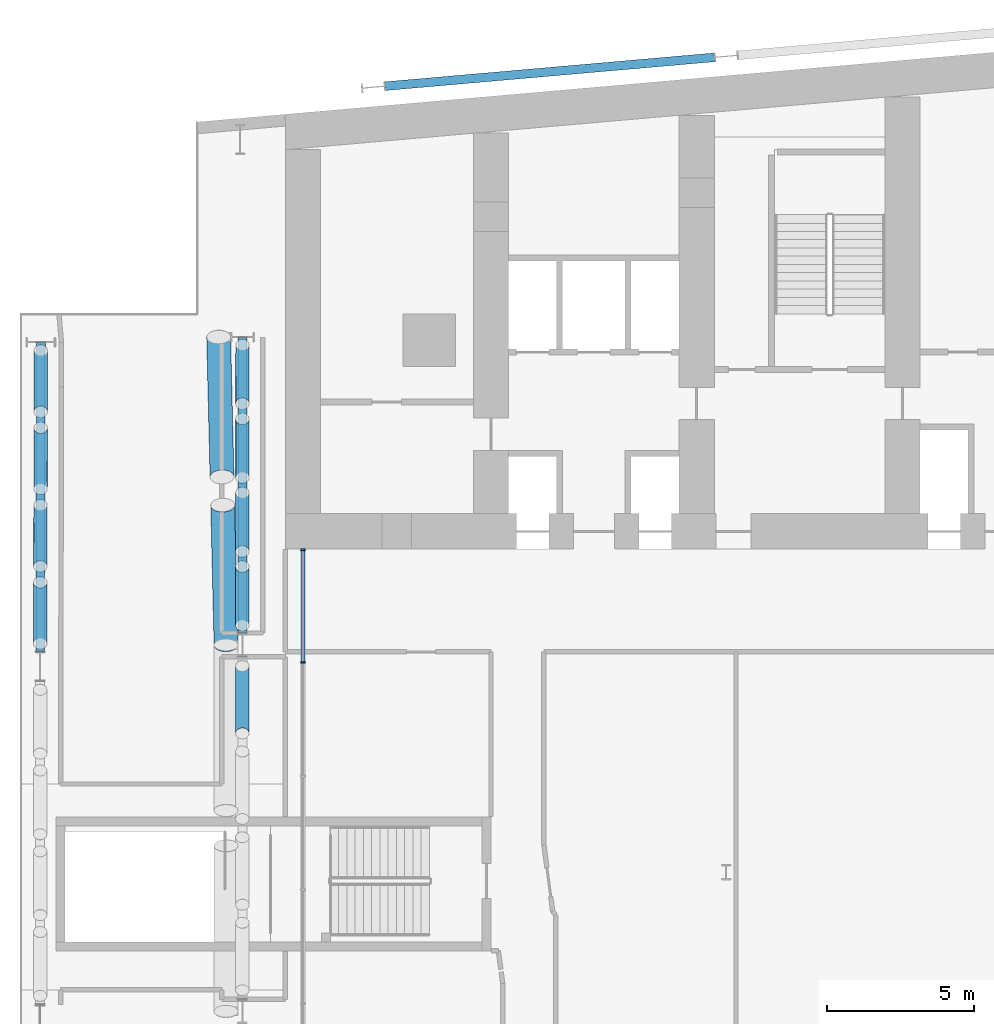
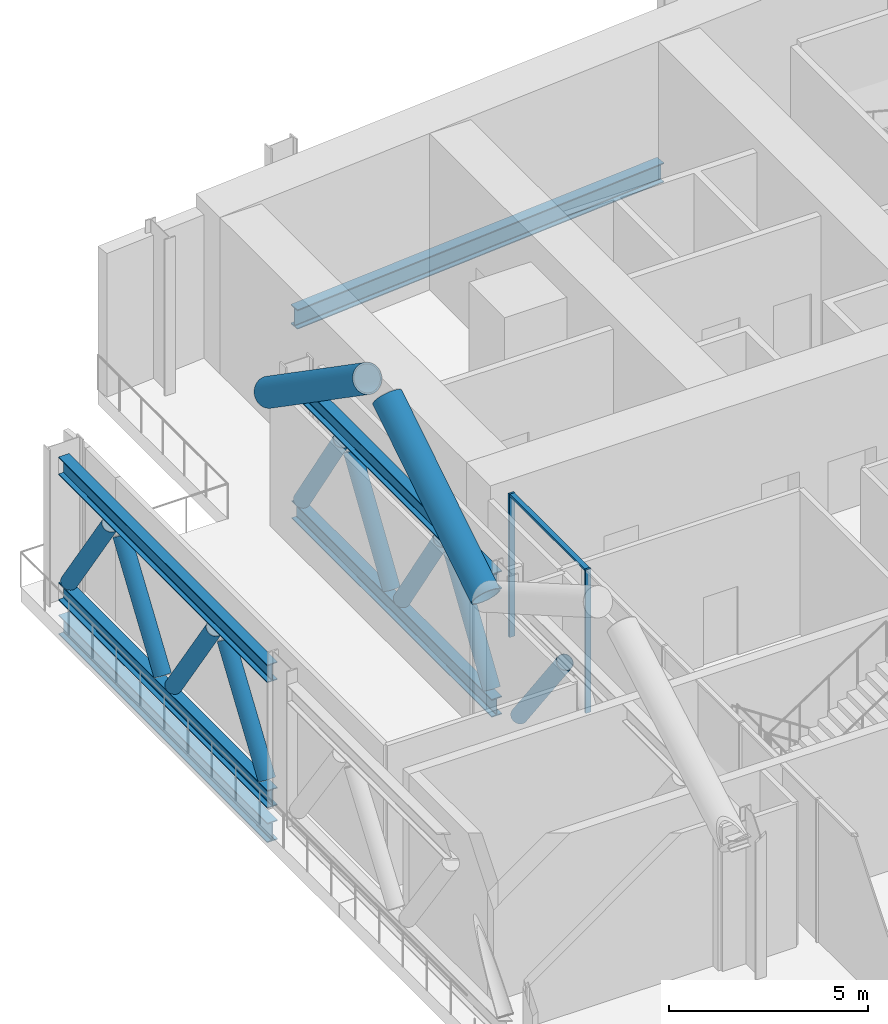
# One storey, part 9 of 39: 18 members, 2 beams, 1 element without a shape of its own.
"""IFC4 building model written with IfcOpenShell, lengths in metres."""

import ifcopenshell
import ifcopenshell.guid

model = None  # the IFC model being written
_history = None  # IfcOwnerHistory: only IFC2X3 demands one
_inside = {}  # id of a spatial element -> (the spatial element, [elements in it])
_under = {}  # id of a project, library or spatial element -> (it, [spatial elements below it])
_declared = {}  # id of a project -> (the project, [libraries it declares])
_typed = {}  # id of a type object -> (the type object, [elements of that type])
_made_of = {}  # id of a material, layer set ... -> (it, [elements and type objects made of it])


def new_model(schema):
    """Start an empty IFC model of exactly this schema.

    Asked for "IFC4X3", IfcOpenShell would pick the latest addendum, in which some entities
    have other attributes; the version numbers below select the first issue.
    IFC2X3 requires an IfcOwnerHistory on every rooted entity: one is made here for all.
    """
    global model, _history
    if schema == "IFC4X3":
        model = ifcopenshell.file(schema_version=(4, 3, 0, 0))
    else:
        model = ifcopenshell.file(schema=schema)
    _inside.clear()
    _under.clear()
    _declared.clear()
    _typed.clear()
    _made_of.clear()
    _history = None
    if model.schema == "IFC2X3":
        org = make("IfcOrganization", Name="unknown")
        user = make(
            "IfcPersonAndOrganization",
            ThePerson=make("IfcPerson", FamilyName="unknown"),
            TheOrganization=org,
        )
        app = make(
            "IfcApplication",
            ApplicationDeveloper=org,
            Version="unknown",
            ApplicationFullName="unknown",
            ApplicationIdentifier="unknown",
        )
        _history = make(
            "IfcOwnerHistory",
            OwningUser=user,
            OwningApplication=app,
            ChangeAction="ADDED",
            CreationDate=0,
        )
    return model


def make(cls, **values):
    """One entity of the class cls with the attributes given. An attribute that is None is left unset."""
    return model.create_entity(
        cls, **{name: value for name, value in values.items() if value is not None}
    )


def rooted(cls, **values):
    """An entity with a GlobalId (a new one), such as an element, a storey or a relation."""
    return make(cls, GlobalId=ifcopenshell.guid.new(), OwnerHistory=_history, **values)


def si_unit(unit_type, name, prefix=None):
    """IfcSIUnit, for example si_unit("LENGTHUNIT", "METRE", prefix="MILLI")."""
    return make("IfcSIUnit", UnitType=unit_type, Prefix=prefix, Name=name)


def assignment(units):
    """IfcUnitAssignment: the units of a project."""
    return None if units is None else make("IfcUnitAssignment", Units=units)


def point(xyz):
    """IfcCartesianPoint."""
    return None if xyz is None else make("IfcCartesianPoint", Coordinates=xyz)


def direction(xyz):
    """IfcDirection."""
    return None if xyz is None else make("IfcDirection", DirectionRatios=xyz)


def frame(location, z_axis=None, x_axis=None):
    """IfcAxis2Placement3D, a coordinate frame: its origin and axes. An axis left out is left unset."""
    return make(
        "IfcAxis2Placement3D",
        Location=point(location),
        Axis=direction(z_axis),
        RefDirection=direction(x_axis),
    )


def frame_2d(location, x_axis=None):
    """IfcAxis2Placement2D, a coordinate frame in the plane: its origin and x axis."""
    return make(
        "IfcAxis2Placement2D", Location=point(location), RefDirection=direction(x_axis)
    )


def origin():
    """The frame at (0, 0, 0) with its axes left unset."""
    return frame((0.0, 0.0, 0.0))


def origin_2d():
    """The frame at (0, 0) in the plane with its x axis left unset."""
    return frame_2d((0.0, 0.0))


def place(relative_to, where):
    """IfcLocalPlacement: puts the frame where relative to a parent placement (None: the world)."""
    return make(
        "IfcLocalPlacement", PlacementRelTo=relative_to, RelativePlacement=where
    )


def context(
    kind, dimensions, precision=None, world=None, true_north=None, identifier=None
):
    """IfcGeometricRepresentationContext, for example the 3D "Model" context."""
    return make(
        "IfcGeometricRepresentationContext",
        ContextIdentifier=identifier,
        ContextType=kind,
        CoordinateSpaceDimension=dimensions,
        Precision=precision,
        WorldCoordinateSystem=world,
        TrueNorth=true_north,
    )


def subcontext(parent, identifier, kind, view, scale=None):
    """IfcGeometricRepresentationSubContext, for example "Body" below "Model"."""
    return make(
        "IfcGeometricRepresentationSubContext",
        ContextIdentifier=identifier,
        ContextType=kind,
        ParentContext=parent,
        TargetScale=scale,
        TargetView=view,
    )


def project(units=None, contexts=None):
    """IfcProject with its units and contexts."""
    return rooted(
        "IfcProject",
        Name="project",
        RepresentationContexts=contexts,
        UnitsInContext=assignment(units),
    )


def spatial(cls, under=None, at=None, **own):
    """A site, building, storey or space (cls), placed at a placement, below another one or the project."""
    s = rooted(cls, ObjectPlacement=at, **own)
    if under is not None:
        _under.setdefault(under.id(), (under, []))[1].append(s)
    return s


def profile(cls, at=None, kind="AREA", **sizes):
    """A parametric profile (cls). Its sizes go by their IFC names, for example OverallWidth=200.0."""
    return make(cls, ProfileType=kind, Position=at, **sizes)


def rectangle(**sizes):
    """IfcRectangleProfileDef."""
    return profile("IfcRectangleProfileDef", **sizes)


def hollow_circle(**sizes):
    """IfcCircleHollowProfileDef."""
    return profile("IfcCircleHollowProfileDef", **sizes)


def i_section(**sizes):
    """IfcIShapeProfileDef."""
    return profile("IfcIShapeProfileDef", **sizes)


def extrude(swept, where, along, depth):
    """IfcExtrudedAreaSolid: the profile swept, set in the frame where, extruded along a direction by depth."""
    return make(
        "IfcExtrudedAreaSolid",
        SweptArea=swept,
        Position=where,
        ExtrudedDirection=direction(along),
        Depth=depth,
    )


def shape(context_of_items, identifier, shape_type, items):
    """IfcShapeRepresentation: the items that make up one representation, for example the "Body"."""
    return make(
        "IfcShapeRepresentation",
        ContextOfItems=context_of_items,
        RepresentationIdentifier=identifier,
        RepresentationType=shape_type,
        Items=items,
    )


def material(Name=None, Category=None):
    """IfcMaterial."""
    return make("IfcMaterial", Name=Name, Category=Category)


def material_profile(
    of_material, cross_section, Name=None, Category=None, Priority=None
):
    """IfcMaterialProfile: a cross section and its material."""
    return make(
        "IfcMaterialProfile",
        Name=Name,
        Material=of_material,
        Profile=cross_section,
        Priority=Priority,
        Category=Category,
    )


def profile_set(profiles, Name=None, composite=None):
    """IfcMaterialProfileSet."""
    return make(
        "IfcMaterialProfileSet",
        Name=Name,
        MaterialProfiles=profiles,
        CompositeProfile=composite,
    )


def made_of(thing, what):
    """Note that an element or type object is made of a material, layer set ...; save() writes the relation."""
    if what is not None:
        _made_of.setdefault(what.id(), (what, []))[1].append(thing)
    return thing


def type_object(cls, material=None, **own):
    """A type object (cls), such as IfcWallType, which elements share."""
    return made_of(rooted(cls, **own), material)


def element(
    cls,
    number,
    at=None,
    inside=None,
    cuts=None,
    type_object=None,
    material=None,
    context=None,
    identifier="Body",
    shape_type=None,
    held_by="IfcProductDefinitionShape",
    body=None,
    shapes=None,
    **own,
):
    """One element of the class cls, such as IfcWall. Its Tag is "e" and its number.

    at: its placement. inside: the storey or other place that contains it. cuts: it is an
    opening in that element (IfcRelVoidsElement). A single representation is given by context,
    identifier, shape_type and body (its items); several are given by shapes. held_by: the class
    of the entity that holds the representations. save() writes the other relations.
    """
    e = rooted(cls, Tag="e%d" % number, ObjectPlacement=at, **own)
    if body is not None:
        shapes = [shape(context, identifier, shape_type, body)]
    if shapes is not None:
        e.Representation = make(held_by, Representations=shapes)
    if inside is not None:
        _inside.setdefault(inside.id(), (inside, []))[1].append(e)
    if cuts is not None:
        rooted(
            "IfcRelVoidsElement", RelatingBuildingElement=cuts, RelatedOpeningElement=e
        )
    if type_object is not None:
        _typed.setdefault(type_object.id(), (type_object, []))[1].append(e)
    return made_of(e, material)


def aggregate(whole, parts):
    """IfcRelAggregates: a whole, such as a stair, and the parts it consists of."""
    return rooted("IfcRelAggregates", RelatingObject=whole, RelatedObjects=parts)


def save(model, path):
    """Write the relations noted so far, then the file.

    IfcRelAggregates (storeys below a building ...), IfcRelContainedInSpatialStructure (elements
    in a storey), IfcRelDefinesByType, IfcRelAssociatesMaterial and IfcRelDeclares: one each for
    every whole, place, type object, material and project.
    """
    for whole, parts in _under.values():
        aggregate(whole, parts)
    for where, things in _inside.values():
        rooted(
            "IfcRelContainedInSpatialStructure",
            RelatedElements=things,
            RelatingStructure=where,
        )
    for kind, things in _typed.values():
        rooted("IfcRelDefinesByType", RelatedObjects=things, RelatingType=kind)
    for what, things in _made_of.values():
        rooted("IfcRelAssociatesMaterial", RelatedObjects=things, RelatingMaterial=what)
    for by, libraries in _declared.values():
        rooted("IfcRelDeclares", RelatingContext=by, RelatedDefinitions=libraries)
    model.write(path)


model = new_model("IFC4")

# Units and contexts
model_context = context("Model", 3, precision=1e-05, world=origin(), true_north=direction((0.0, 1.0)))
body_context = subcontext(model_context, "Body", "Model", "MODEL_VIEW")
ifc_project = project(units=[si_unit("LENGTHUNIT", "METRE"), si_unit("AREAUNIT", "SQUARE_METRE"), si_unit("VOLUMEUNIT", "CUBIC_METRE"), si_unit("PLANEANGLEUNIT", "RADIAN"), si_unit("MASSUNIT", "GRAM", prefix="KILO")], contexts=[model_context])

# Site, building, storey
site_placement = place(None, origin())
site = spatial("IfcSite", under=ifc_project, at=site_placement, CompositionType="ELEMENT")
building_placement = place(site_placement, origin())
building = spatial("IfcBuilding", under=site, at=building_placement, Name="Wharfspan Tower", CompositionType="ELEMENT")
storey_placement = place(building_placement, frame((0.0, 0.0, 91.899902)))
storey = spatial("IfcBuildingStorey", under=building, at=storey_placement, Name="L20", CompositionType="ELEMENT", Elevation=91.899902)

# Beams
ifc_material_1 = material(Name="Steel S355J2", Category="steel")
ifc_material_profile_1 = material_profile(ifc_material_1, i_section(OverallWidth=0.300049, OverallDepth=0.600098, WebThickness=0.015381, FlangeThickness=0.030029, FilletRadius=0.0271, at=origin_2d()))
ifc_profile_set_1 = profile_set([ifc_material_profile_1], Name="Steel S355J2")
beam_type = type_object("IfcBeamType", Name="Edge beam HEB 600", PredefinedType="SPANDREL", material=ifc_profile_set_1)
beam_1_placement = place(storey_placement, frame((23.598633, 50.724609, -0.75), z_axis=(-0.996194, -0.087165, 0.0), x_axis=(0.087165, -0.996194, 0.0)))
element("IfcBeam", 1, at=beam_1_placement, inside=storey, type_object=beam_type, Name="Edge beam N1 L20 R.2 to R.1", PredefinedType="SPANDREL", context=body_context, shape_type="SweptSolid", body=[
    extrude(i_section(OverallWidth=0.300049, OverallDepth=0.600098, WebThickness=0.015381, FlangeThickness=0.030029, FilletRadius=0.0271, at=origin_2d()), origin(), (0.0, 0.0, 1.0), 11.23999),
])
beam_2_placement = place(storey_placement, frame((0.684814, 41.027832, -0.75), z_axis=(-0.002249, -0.999997, 0.0), x_axis=(0.999997, -0.002249, 0.0)))
element("IfcBeam", 2, at=beam_2_placement, inside=storey, type_object=beam_type, Name="Edge beam W L20 PNRW-H.1 to PW.1", PredefinedType="SPANDREL", context=body_context, shape_type="SweptSolid", body=[
    extrude(i_section(OverallWidth=0.300049, OverallDepth=0.600098, WebThickness=0.015381, FlangeThickness=0.030029, FilletRadius=0.0271, at=origin_2d()), origin(), (0.0, 0.0, 1.0), 10.527832),
])

# Curtain wall, members
ifc_material_2 = material(Name="Aluminium 6063-T6", Category="aluminium")
curtain_wall_type = type_object("IfcCurtainWallType", Name="CURTAIN WALL BAND RECESS", PredefinedType="NOTDEFINED", material=ifc_material_2)
curtain_wall_placement = place(storey_placement, origin())
curtain_wall = element("IfcCurtainWall", 3, at=curtain_wall_placement, inside=storey, type_object=curtain_wall_type, Name="Recess glazing R2", PredefinedType="NOTDEFINED")
ifc_material_profile_2 = material_profile(ifc_material_2, rectangle(XDim=0.159912, YDim=0.060059, at=origin_2d()))
ifc_profile_set_2 = profile_set([ifc_material_profile_2], Name="Aluminium 6063-T6")
member_type_1 = type_object("IfcMemberType", Name="MULLION BAND RECESS 60x160", PredefinedType="MULLION", material=ifc_profile_set_2)
member_1_placement = place(storey_placement, frame((9.600098, 30.133301, 0.0), z_axis=(0.0, 0.0, 1.0), x_axis=(-1.0, 0.0, 0.0)))
member_1 = element("IfcMember", 4, at=member_1_placement, type_object=member_type_1, Name="Recess glazing R2 mullion 6", PredefinedType="MULLION", context=body_context, shape_type="SweptSolid", body=[
    extrude(rectangle(XDim=0.159912, YDim=0.060059, at=origin_2d()), origin(), (0.0, 0.0, 1.0), 4.400146),
])
member_2_placement = place(storey_placement, frame((9.600098, 33.969971, 0.0), z_axis=(0.0, 0.0, 1.0), x_axis=(-1.0, 0.0, 0.0)))
member_2 = element("IfcMember", 5, at=member_2_placement, type_object=member_type_1, Name="Recess glazing R2 mullion 7", PredefinedType="MULLION", context=body_context, shape_type="SweptSolid", body=[
    extrude(rectangle(XDim=0.159912, YDim=0.060059, at=origin_2d()), origin(), (0.0, 0.0, 1.0), 4.400146),
])

# Members
ifc_material_3 = material(Name="Steel S460NH", Category="steel")
ifc_material_profile_3 = material_profile(ifc_material_3, hollow_circle(Radius=0.406494, WallThickness=0.040039, at=origin_2d()))
ifc_profile_set_3 = profile_set([ifc_material_profile_3], Name="Steel S460NH")
member_type_2 = type_object("IfcMemberType", Name="Mega brace CHS 813x40", PredefinedType="BRACE", material=ifc_profile_set_3)
for number, where, z_axis, x_axis, name in (
    (6, (6.734131, 41.208008, 4.100098), (0.019722, -0.823926, 0.566354), (0.999713, 0.023927, -4e-06), "Mega brace W4 L21 part 1"),
    (7, (6.985107, 30.733398, 4.100098), (-0.019765, 0.823912, 0.566373), (-0.999715, -0.023981, -2e-06), "Mega brace W4 L21 part 3"),
):
    element("IfcMember", number, at=place(storey_placement, frame(where, z_axis=z_axis, x_axis=x_axis)), inside=storey, type_object=member_type_2, Name=name, PredefinedType="BRACE", context=body_context, shape_type="SweptSolid", body=[
        extrude(hollow_circle(Radius=0.406494, WallThickness=0.040039, at=origin_2d()), origin(), (0.0, 0.0, 1.0), 5.768555),
    ])

# Member
ifc_material_profile_4 = material_profile(ifc_material_2, rectangle(XDim=0.139893, YDim=0.070068, at=origin_2d()))
ifc_profile_set_4 = profile_set([ifc_material_profile_4], Name="Aluminium 6063-T6")
member_type_3 = type_object("IfcMemberType", Name="TRANSOM BAND RECESS 70x140", PredefinedType="USERDEFINED", material=ifc_profile_set_4)
member_3_placement = place(storey_placement, frame((9.600098, 30.16333, 4.36499), z_axis=(0.0, 1.0, 0.0), x_axis=(-1.0, 0.0, 0.0)))
member_3 = element("IfcMember", 8, at=member_3_placement, type_object=member_type_3, Name="Recess glazing R2 transom 6", ObjectType="TRANSOM", PredefinedType="USERDEFINED", context=body_context, shape_type="SweptSolid", body=[
    extrude(rectangle(XDim=0.139893, YDim=0.070068, at=origin_2d()), origin(), (0.0, 0.0, 1.0), 3.776611),
])

aggregate(curtain_wall, [member_1, member_2, member_3])

# Members
ifc_material_profile_5 = material_profile(ifc_material_1, i_section(OverallWidth=0.300049, OverallDepth=0.550049, WebThickness=0.014893, FlangeThickness=0.029053, FilletRadius=0.0271, at=origin_2d()))
ifc_profile_set_5 = profile_set([ifc_material_profile_5], Name="Steel S355J2")
member_type_4 = type_object("IfcMemberType", Name="Truss chord HEB 550", PredefinedType="CHORD", material=ifc_profile_set_5)
for number, where, z_axis, x_axis, name in (
    (9, (7.544434, 41.19751, 4.125), (-0.000413, -1.0, 0.0), (1.0, -0.000413, 0.0), "Belt truss chord T L20 W PNRW-H.1 to PW.1"),
    (10, (7.544434, 41.19751, 0.275146), (-0.000413, -1.0, 0.0), (1.0, -0.000413, 0.0), "Belt truss chord B L20 W PNRW-H.1 to PW.1"),
):
    element("IfcMember", number, at=place(storey_placement, frame(where, z_axis=z_axis, x_axis=x_axis)), inside=storey, type_object=member_type_4, Name=name, PredefinedType="CHORD", context=body_context, shape_type="SweptSolid", body=[
        extrude(i_section(OverallWidth=0.300049, OverallDepth=0.550049, WebThickness=0.014893, FlangeThickness=0.029053, FilletRadius=0.0271, at=origin_2d()), origin(), (0.0, 0.0, 1.0), 10.057129),
    ])
for number, where, z_axis, x_axis, name in (
    (11, (0.684814, 41.023682, 4.125), (-0.002251, -0.999997, 0.0), (0.999997, -0.002251, 0.0), "Belt truss chord T L20 W PNRW-H.1.S to PW.1.S"),
    (12, (0.684814, 41.023682, 0.275146), (-0.002251, -0.999997, 0.0), (0.999997, -0.002251, 0.0), "Belt truss chord B L20 W PNRW-H.1.S to PW.1.S"),
):
    element("IfcMember", number, at=place(storey_placement, frame(where, z_axis=z_axis, x_axis=x_axis)), inside=storey, type_object=member_type_4, Name=name, PredefinedType="CHORD", context=body_context, shape_type="SweptSolid", body=[
        extrude(i_section(OverallWidth=0.300049, OverallDepth=0.550049, WebThickness=0.014893, FlangeThickness=0.029053, FilletRadius=0.0271, at=origin_2d()), origin(), (0.0, 0.0, 1.0), 10.519775),
    ])
ifc_material_profile_6 = material_profile(ifc_material_3, hollow_circle(Radius=0.228516, WallThickness=0.016113, at=origin_2d()))
ifc_profile_set_6 = profile_set([ifc_material_profile_6], Name="Steel S460NH")
member_type_5 = type_object("IfcMemberType", Name="Truss diagonal CHS 457x16", PredefinedType="BRACE", material=ifc_profile_set_6)
for number, where, z_axis, x_axis, name in (
    (13, (7.544434, 40.936279, 0.675049), (-0.000268, -0.546803, 0.837261), (0.999996, -0.000487, 2e-06), "Belt truss diagonal L20 W PNRW-H.1 to PW.1 1"),
    (14, (7.543213, 38.422119, 3.725098), (-0.000201, -0.546803, -0.837261), (0.999998, -0.000366, -1e-06), "Belt truss diagonal L20 W PNRW-H.1 to PW.1 2"),
    (15, (7.542236, 35.907715, 0.675049), (-0.000268, -0.546803, 0.837261), (0.999996, -0.000487, 2e-06), "Belt truss diagonal L20 W PNRW-H.1 to PW.1 3"),
    (16, (7.54126, 33.393555, 3.725098), (-0.000268, -0.546803, -0.837261), (0.999996, -0.000487, -2e-06), "Belt truss diagonal L20 W PNRW-H.1 to PW.1 4"),
):
    element("IfcMember", number, at=place(storey_placement, frame(where, z_axis=z_axis, x_axis=x_axis)), inside=storey, type_object=member_type_5, Name=name, PredefinedType="BRACE", context=body_context, shape_type="SweptSolid", body=[
        extrude(hollow_circle(Radius=0.228516, WallThickness=0.016113, at=origin_2d()), origin(), (0.0, 0.0, 1.0), 3.642822),
    ])
member_4_placement = place(storey_placement, frame((7.540039, 30.013916, 0.687988), z_axis=(0.0, -0.603404, 0.797436), x_axis=(1.0, 0.0, 0.0)))
element("IfcMember", 17, at=member_4_placement, inside=storey, type_object=member_type_5, Name="Belt truss diagonal L20 W PW.1 to PW.2 1", PredefinedType="BRACE", context=body_context, shape_type="SweptSolid", body=[
    extrude(hollow_circle(Radius=0.228516, WallThickness=0.016113, at=origin_2d()), origin(), (0.0, 0.0, 1.0), 3.79248),
])
for number, where, z_axis, x_axis, name in (
    (18, (0.684082, 40.747803, 0.678955), (-0.001259, -0.564054, 0.825737), (1.000002, -0.002235, -2e-06), "Belt truss diagonal L20 W PNRW-H.1.S to PW.1.S 1"),
    (19, (0.678223, 38.11792, 3.721191), (-0.001259, -0.564054, -0.825737), (1.000002, -0.002235, 2e-06), "Belt truss diagonal L20 W PNRW-H.1.S to PW.1.S 2"),
    (20, (0.672363, 35.488037, 0.678955), (-0.001259, -0.564054, 0.825737), (1.000002, -0.002235, -2e-06), "Belt truss diagonal L20 W PNRW-H.1.S to PW.1.S 3"),
    (21, (0.666504, 32.858154, 3.721191), (-0.001259, -0.564099, -0.825706), (1.000002, -0.002229, -2e-06), "Belt truss diagonal L20 W PNRW-H.1.S to PW.1.S 4"),
):
    element("IfcMember", number, at=place(storey_placement, frame(where, z_axis=z_axis, x_axis=x_axis)), inside=storey, type_object=member_type_5, Name=name, PredefinedType="BRACE", context=body_context, shape_type="SweptSolid", body=[
        extrude(hollow_circle(Radius=0.228516, WallThickness=0.016113, at=origin_2d()), origin(), (0.0, 0.0, 1.0), 3.684326),
    ])

save(model, "model.ifc")
